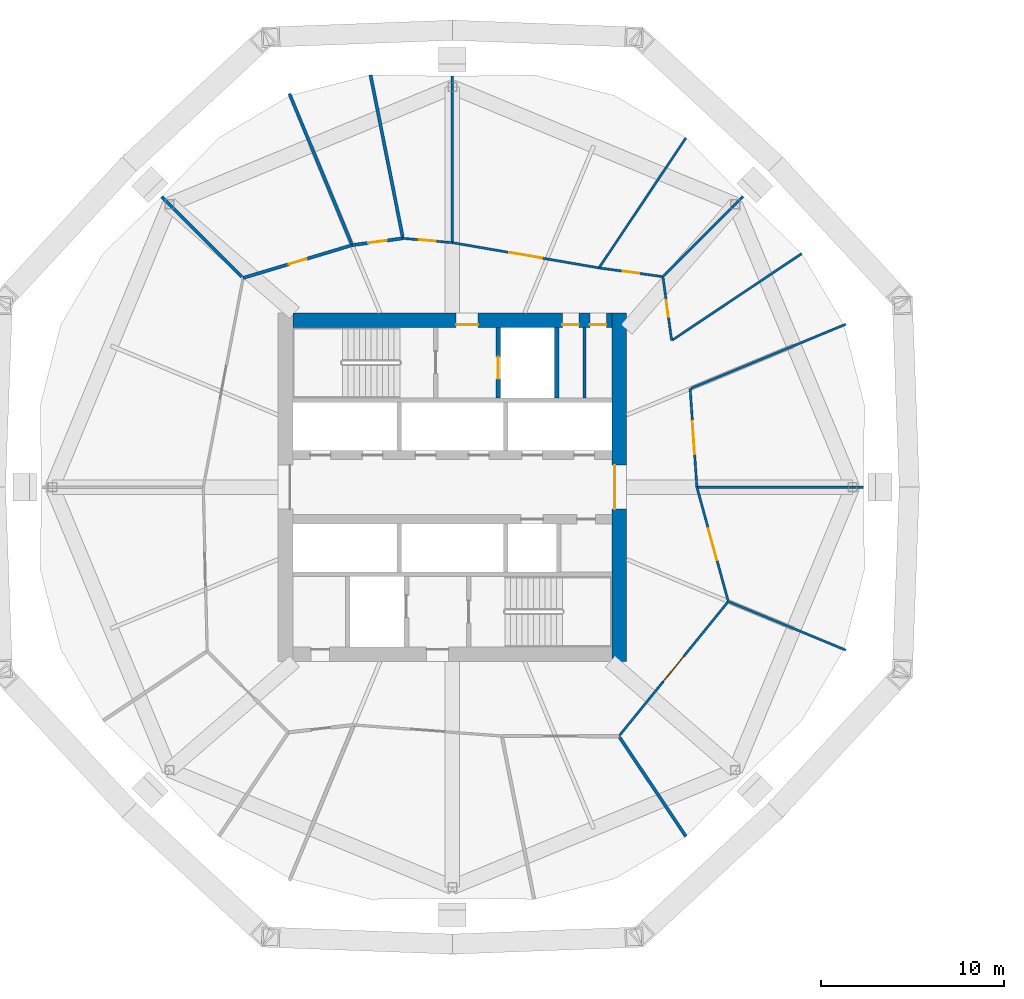
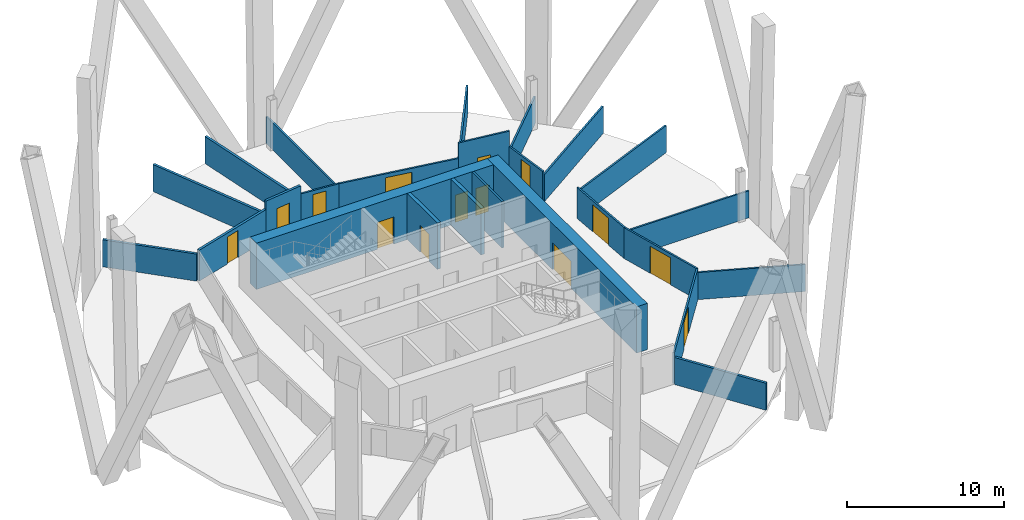
# One storey, part 5 of 10: 25 walls, 14 doors, 14 openings.
"""IFC4 building model written with IfcOpenShell, lengths in metres."""

from ifc_helpers import new_model, si_unit, direction, frame, frame_2d, origin, place, context, subcontext, project, spatial, rectangle, extrude, material, layer, layer_set, type_object, element, fill, save


model = new_model("IFC4")

# Units and contexts
model_context = context("Model", 3, precision=1e-05, world=origin(), true_north=direction((0.0, 1.0)))
body_context = subcontext(model_context, "Body", "Model", "MODEL_VIEW")
ifc_project = project(units=[si_unit("LENGTHUNIT", "METRE"), si_unit("AREAUNIT", "SQUARE_METRE"), si_unit("VOLUMEUNIT", "CUBIC_METRE"), si_unit("PLANEANGLEUNIT", "RADIAN"), si_unit("MASSUNIT", "GRAM", prefix="KILO")], contexts=[model_context])

# Site, building, storey
site_placement = place(None, origin())
site = spatial("IfcSite", under=ifc_project, at=site_placement, CompositionType="ELEMENT")
building_placement = place(site_placement, origin())
building = spatial("IfcBuilding", under=site, at=building_placement, Name="Ogive Gate Towers", CompositionType="ELEMENT")
storey_placement = place(building_placement, frame((0.0, 0.0, 36.300048828125)))
storey = spatial("IfcBuildingStorey", under=building, at=storey_placement, Name="L07", CompositionType="ELEMENT", Elevation=36.300048828125)

# Walls
ifc_material_1 = material(Name="Gypsum board acoustic partition")
ifc_layer_1 = layer(ifc_material_1, 0.175048828125)
ifc_layer_set_1 = layer_set([ifc_layer_1], Name="Acoustic partition 175")
wall_type_1 = type_object("IfcWallType", Name="Acoustic partition 175", PredefinedType="PARTITIONING", material=ifc_layer_set_1)
wall_1_placement = place(storey_placement, frame((-40.461669921875, 22.470947265625, 0.0), z_axis=(0.0, 0.0, 1.0), x_axis=(0.194737431918, -0.980855408615, 0.0)))
element("IfcWall", 1, at=wall_1_placement, inside=storey, type_object=wall_type_1, Name="Partition T1-L07-007", PredefinedType="PARTITIONING", context=body_context, shape_type="SweptSolid", body=[
    extrude(rectangle(XDim=8.991455078125, YDim=0.175048828125, at=frame_2d((4.49560546875, 0.0))), origin(), (0.0, 0.0, 1.0), 2.099853515625),
])
wall_2_placement = place(storey_placement, frame((-44.885986328125, 21.452880859375, 0.0), z_axis=(0.0, 0.0, 1.0), x_axis=(0.382685511133, -0.923878671455, 0.0)))
element("IfcWall", 2, at=wall_2_placement, inside=storey, type_object=wall_type_1, Name="Partition T1-L07-008", PredefinedType="PARTITIONING", context=body_context, shape_type="SweptSolid", body=[
    extrude(rectangle(XDim=8.851806640625, YDim=0.175048828125, at=frame_2d((4.42578125, 0.0))), origin(), (0.0, 0.0, 1.0), 2.099853515625),
])
wall_3_placement = place(storey_placement, frame((-51.845703125, 15.845703125, 0.0), z_axis=(0.0, 0.0, 1.0), x_axis=(0.707106781187, -0.707106781187, 0.0)))
element("IfcWall", 3, at=wall_3_placement, inside=storey, type_object=wall_type_1, Name="Partition T1-L07-009", PredefinedType="PARTITIONING", context=body_context, shape_type="SweptSolid", body=[
    extrude(rectangle(XDim=6.191650390625, YDim=0.175048828125, at=frame_2d((3.095703125, 0.0))), origin(), (0.0, 0.0, 1.0), 2.099853515625),
])
wall_4_placement = place(storey_placement, frame((-23.265625, -19.044189453125, 0.0), z_axis=(0.0, 0.0, 1.0), x_axis=(-0.55586264377, 0.831274155295, 0.0)))
element("IfcWall", 4, at=wall_4_placement, inside=storey, type_object=wall_type_1, Name="Partition T1-L07-015", PredefinedType="PARTITIONING", context=body_context, shape_type="SweptSolid", body=[
    extrude(rectangle(XDim=6.491455078125, YDim=0.175048828125, at=frame_2d((3.24560546875, 0.0))), origin(), (0.0, 0.0, 1.0), 2.099853515625),
])

# Wall, opening, door
wall_5_placement = place(storey_placement, frame((-38.693603515625, 13.56591796875, 0.0), z_axis=(0.0, 0.0, 1.0), x_axis=(-0.991120058081, -0.132970035981, 0.0)))
wall_5 = element("IfcWall", 5, at=wall_5_placement, inside=storey, type_object=wall_type_1, Name="Partition T1-L07-021", PredefinedType="PARTITIONING", context=body_context, shape_type="SweptSolid", body=[
    extrude(rectangle(XDim=2.79638671875, YDim=0.175048828125, at=frame_2d((1.398193359375, 0.0))), origin(), (0.0, 0.0, 1.0), 3.050048828125),
])
opening_1_placement = place(wall_5_placement, frame((0.89794921875, 0.0, 0.0)))
opening_1 = element("IfcOpeningElement", 6, at=opening_1_placement, cuts=wall_5, Name="Opening T1-L07-D05", PredefinedType="OPENING", context=body_context, shape_type="SweptSolid", body=[
    extrude(rectangle(XDim=1.0, YDim=2.10009765625, at=frame_2d((0.5, 1.050048828125))), frame((0.0, 0.09765625, 0.0), z_axis=(0.0, -1.0, 0.0), x_axis=(1.0, 0.0, 0.0)), (0.0, 0.0, 1.0), 0.195068359375),
])
ifc_material_2 = material(Name="Timber door", Category="wood")
door_type_1 = type_object("IfcDoorType", Name="Door 1000", OperationType="NOTDEFINED", PredefinedType="DOOR", material=ifc_material_2)
door_1_placement = place(opening_1_placement, origin())
door_1 = element("IfcDoor", 7, at=door_1_placement, inside=storey, type_object=door_type_1, Name="Door T1-L07-D05", OperationType="SINGLE_SWING_RIGHT", OverallHeight=2.10009765625, OverallWidth=1.0, PredefinedType="DOOR", context=body_context, shape_type="SweptSolid", body=[
    extrude(rectangle(XDim=1.0, YDim=2.10009765625, at=frame_2d((0.5, 1.050048828125))), frame((0.0, 0.02490234375, 0.0), z_axis=(0.0, -1.0, 0.0), x_axis=(1.0, 0.0, 0.0)), (0.0, 0.0, 1.0), 0.050048828125),
])
fill(opening_1, door_1)

wall_6_placement = place(storey_placement, frame((-41.465087890625, 13.194091796875, 0.0), z_axis=(0.0, 0.0, 1.0), x_axis=(-0.957554002329, -0.288253937741, 0.0)))
wall_6 = element("IfcWall", 8, at=wall_6_placement, inside=storey, type_object=wall_type_1, Name="Partition T1-L07-022", PredefinedType="PARTITIONING", context=body_context, shape_type="SweptSolid", body=[
    extrude(rectangle(XDim=6.2041015625, YDim=0.175048828125, at=frame_2d((3.10205078125, 0.0))), origin(), (0.0, 0.0, 1.0), 2.39990234375),
])
opening_2_placement = place(wall_6_placement, frame((2.60205078125, 0.0, 0.0)))
opening_2 = element("IfcOpeningElement", 9, at=opening_2_placement, cuts=wall_6, Name="Opening T1-L07-D06", PredefinedType="OPENING", context=body_context, shape_type="SweptSolid", body=[
    extrude(rectangle(XDim=1.0, YDim=2.10009765625, at=frame_2d((0.5, 1.050048828125))), frame((0.0, 0.09765625, 0.0), z_axis=(0.0, -1.0, 0.0), x_axis=(1.0, 0.0, 0.0)), (0.0, 0.0, 1.0), 0.195068359375),
])
door_2_placement = place(opening_2_placement, origin())
door_2 = element("IfcDoor", 10, at=door_2_placement, inside=storey, type_object=door_type_1, Name="Door T1-L07-D06", OperationType="SINGLE_SWING_RIGHT", OverallHeight=2.10009765625, OverallWidth=1.0, PredefinedType="DOOR", context=body_context, shape_type="SweptSolid", body=[
    extrude(rectangle(XDim=1.0, YDim=2.10009765625, at=frame_2d((0.5, 1.050048828125))), frame((0.0, 0.02490234375, 0.0), z_axis=(0.0, -1.0, 0.0), x_axis=(1.0, 0.0, 0.0)), (0.0, 0.0, 1.0), 0.050048828125),
])
fill(opening_2, door_2)

# Wall, openings, doors
ifc_material_3 = material(Name="Concrete C60/75", Category="concrete")
ifc_layer_2 = layer(ifc_material_3, 0.800048828125)
ifc_layer_set_2 = layer_set([ifc_layer_2], Name="Core wall 800 mm")
wall_type_2 = type_object("IfcWallType", Name="Core wall 800 mm", PredefinedType="SHEAR", material=ifc_layer_set_2)
wall_7_placement = place(storey_placement, frame((-44.699951171875, 9.10009765625, 0.0), z_axis=(0.0, 0.0, 1.0), x_axis=(1.0, 0.0, 0.0)))
wall_7 = element("IfcWall", 11, at=wall_7_placement, inside=storey, type_object=wall_type_2, Name="T1 L07 Core wall 800 mm", PredefinedType="SHEAR", context=body_context, shape_type="SweptSolid", body=[
    extrude(rectangle(XDim=17.39990234375, YDim=0.800048828125, at=frame_2d((8.699951171875, 0.0))), origin(), (0.0, 0.0, 1.0), 3.599853515625),
])
opening_3_placement = place(wall_7_placement, frame((8.89990234375, 0.0, 0.0)))
opening_3 = element("IfcOpeningElement", 12, at=opening_3_placement, cuts=wall_7, Name="Opening KD-T1-L07-15", PredefinedType="OPENING", context=body_context, shape_type="SweptSolid", body=[
    extrude(rectangle(XDim=1.199951171875, YDim=2.10009765625, at=frame_2d((0.60009765625, 1.050048828125))), frame((0.0, 0.41015625, 0.0), z_axis=(0.0, -1.0, 0.0), x_axis=(1.0, 0.0, 0.0)), (0.0, 0.0, 1.0), 0.820068359375),
])
opening_4_placement = place(wall_7_placement, frame((14.699951171875, 0.0, 0.0)))
opening_4 = element("IfcOpeningElement", 13, at=opening_4_placement, cuts=wall_7, Name="Opening KD-T1-L07-17", PredefinedType="OPENING", context=body_context, shape_type="SweptSolid", body=[
    extrude(rectangle(XDim=0.89990234375, YDim=2.10009765625, at=frame_2d((0.449951171875, 1.050048828125))), frame((0.0, 0.41015625, 0.0), z_axis=(0.0, -1.0, 0.0), x_axis=(1.0, 0.0, 0.0)), (0.0, 0.0, 1.0), 0.820068359375),
])
opening_5_placement = place(wall_7_placement, frame((16.199951171875, 0.0, 0.0)))
opening_5 = element("IfcOpeningElement", 14, at=opening_5_placement, cuts=wall_7, Name="Opening KD-T1-L07-18", PredefinedType="OPENING", context=body_context, shape_type="SweptSolid", body=[
    extrude(rectangle(XDim=0.89990234375, YDim=2.10009765625, at=frame_2d((0.449951171875, 1.050048828125))), frame((0.0, 0.41015625, 0.0), z_axis=(0.0, -1.0, 0.0), x_axis=(1.0, 0.0, 0.0)), (0.0, 0.0, 1.0), 0.820068359375),
])
door_type_2 = type_object("IfcDoorType", Name="Core WC door 900 x 2100", OperationType="NOTDEFINED", PredefinedType="DOOR", material=ifc_material_2)
door_3_placement = place(opening_4_placement, origin())
door_3 = element("IfcDoor", 15, at=door_3_placement, inside=storey, type_object=door_type_2, Name="T1 L07 Core door", OperationType="SINGLE_SWING_RIGHT", OverallHeight=2.10009765625, OverallWidth=0.89990234375, PredefinedType="DOOR", context=body_context, shape_type="SweptSolid", body=[
    extrude(rectangle(XDim=0.89990234375, YDim=2.10009765625, at=frame_2d((0.449951171875, 1.050048828125))), frame((0.0, -0.22509765625, 0.0), z_axis=(0.0, -1.0, 0.0), x_axis=(1.0, 0.0, 0.0)), (0.0, 0.0, 1.0), 0.050048828125),
])
fill(opening_4, door_3)
door_4_placement = place(opening_5_placement, origin())
door_4 = element("IfcDoor", 16, at=door_4_placement, inside=storey, type_object=door_type_2, Name="T1 L07 Core door", OperationType="SINGLE_SWING_LEFT", OverallHeight=2.10009765625, OverallWidth=0.89990234375, PredefinedType="DOOR", context=body_context, shape_type="SweptSolid", body=[
    extrude(rectangle(XDim=0.89990234375, YDim=2.10009765625, at=frame_2d((0.449951171875, 1.050048828125))), frame((0.0, -0.22509765625, 0.0), z_axis=(0.0, -1.0, 0.0), x_axis=(1.0, 0.0, 0.0)), (0.0, 0.0, 1.0), 0.050048828125),
])
fill(opening_5, door_4)
ifc_material_4 = material(Name="Steel fire door", Category="steel")
door_type_3 = type_object("IfcDoorType", Name="Core door FD60S 1200 x 2100", OperationType="NOTDEFINED", PredefinedType="DOOR", material=ifc_material_4)
door_5_placement = place(opening_3_placement, origin())
door_5 = element("IfcDoor", 17, at=door_5_placement, inside=storey, type_object=door_type_3, Name="T1 L07 Fire-fighting lobby door", OperationType="SINGLE_SWING_RIGHT", OverallHeight=2.10009765625, OverallWidth=1.199951171875, PredefinedType="DOOR", context=body_context, shape_type="SweptSolid", body=[
    extrude(rectangle(XDim=1.199951171875, YDim=2.10009765625, at=frame_2d((0.60009765625, 1.050048828125))), frame((0.0, -0.22509765625, 0.0), z_axis=(0.0, -1.0, 0.0), x_axis=(1.0, 0.0, 0.0)), (0.0, 0.0, 1.0), 0.050048828125),
])
fill(opening_3, door_5)

# Wall, opening, door
wall_8_placement = place(storey_placement, frame((-26.89990234375, -9.5, 0.0), z_axis=(0.0, 0.0, 1.0), x_axis=(0.0, 1.0, 0.0)))
wall_8 = element("IfcWall", 18, at=wall_8_placement, inside=storey, type_object=wall_type_2, Name="T1 L07 Core wall 800 mm", PredefinedType="SHEAR", context=body_context, shape_type="SweptSolid", body=[
    extrude(rectangle(XDim=19.0, YDim=0.800048828125, at=frame_2d((9.5, 0.0))), origin(), (0.0, 0.0, 1.0), 3.599853515625),
])
opening_6_placement = place(wall_8_placement, frame((8.300048828125, 0.0, 0.0)))
opening_6 = element("IfcOpeningElement", 19, at=opening_6_placement, cuts=wall_8, Name="Opening KD-T1-L07-02", PredefinedType="OPENING", context=body_context, shape_type="SweptSolid", body=[
    extrude(rectangle(XDim=2.39990234375, YDim=2.10009765625, at=frame_2d((1.199951171875, 1.050048828125))), frame((0.0, 0.41015625, 0.0), z_axis=(0.0, -1.0, 0.0), x_axis=(1.0, 0.0, 0.0)), (0.0, 0.0, 1.0), 0.820068359375),
])
door_type_4 = type_object("IfcDoorType", Name="Core double door FD60S 2400 x 2100", OperationType="DOUBLE_DOOR_SINGLE_SWING", PredefinedType="DOOR", material=ifc_material_4)
door_6_placement = place(opening_6_placement, origin())
door_6 = element("IfcDoor", 20, at=door_6_placement, inside=storey, type_object=door_type_4, Name="T1 L07 Core door double", OperationType="DOUBLE_DOOR_SINGLE_SWING", OverallHeight=2.10009765625, OverallWidth=2.39990234375, PredefinedType="DOOR", context=body_context, shape_type="SweptSolid", body=[
    extrude(rectangle(XDim=2.39990234375, YDim=2.10009765625, at=frame_2d((1.199951171875, 1.050048828125))), frame((0.0, 0.27490234375, 0.0), z_axis=(0.0, -1.0, 0.0), x_axis=(1.0, 0.0, 0.0)), (0.0, 0.0, 1.0), 0.050048828125),
])
fill(opening_6, door_6)

# Walls
ifc_material_5 = material(Name="Gypsum board partition")
ifc_layer_3 = layer(ifc_material_5, 0.125)
ifc_layer_set_3 = layer_set([ifc_layer_3], Name="Partition 125")
wall_type_3 = type_object("IfcWallType", Name="Partition 125", PredefinedType="PARTITIONING", material=ifc_layer_set_3)
wall_9_placement = place(storey_placement, frame((-13.591064453125, 0.0, 0.0), z_axis=(0.0, 0.0, 1.0), x_axis=(-1.0, 0.0, 0.0)))
element("IfcWall", 21, at=wall_9_placement, inside=storey, type_object=wall_type_3, Name="Partition T1-L07-001", PredefinedType="PARTITIONING", context=body_context, shape_type="SweptSolid", body=[
    extrude(rectangle(XDim=9.016357421875, YDim=0.125, at=frame_2d((4.50830078125, 0.0))), origin(), (0.0, 0.0, 1.0), 2.099853515625),
])
wall_10_placement = place(storey_placement, frame((-14.547119140625, 8.885986328125, 0.0), z_axis=(0.0, 0.0, 1.0), x_axis=(-0.923880554075, -0.382680966084, 0.0)))
element("IfcWall", 22, at=wall_10_placement, inside=storey, type_object=wall_type_3, Name="Partition T1-L07-002", PredefinedType="PARTITIONING", context=body_context, shape_type="SweptSolid", body=[
    extrude(rectangle(XDim=9.126953125, YDim=0.125, at=frame_2d((4.5634765625, 0.0))), origin(), (0.0, 0.0, 1.0), 2.099853515625),
])
wall_11_placement = place(storey_placement, frame((-16.955810546875, 12.734375, 0.0), z_axis=(0.0, 0.0, 1.0), x_axis=(-0.83128646011, -0.555844241886, 0.0)))
element("IfcWall", 23, at=wall_11_placement, inside=storey, type_object=wall_type_3, Name="Partition T1-L07-003", PredefinedType="PARTITIONING", context=body_context, shape_type="SweptSolid", body=[
    extrude(rectangle(XDim=8.466552734375, YDim=0.125, at=frame_2d((4.2333984375, 0.0))), origin(), (0.0, 0.0, 1.0), 2.099853515625),
])
wall_12_placement = place(storey_placement, frame((-20.154296875, 15.845703125, 0.0), z_axis=(0.0, 0.0, 1.0), x_axis=(-0.707106781187, -0.707106781187, 0.0)))
element("IfcWall", 24, at=wall_12_placement, inside=storey, type_object=wall_type_3, Name="Partition T1-L07-004", PredefinedType="PARTITIONING", context=body_context, shape_type="SweptSolid", body=[
    extrude(rectangle(XDim=6.11669921875, YDim=0.125, at=frame_2d((3.058349609375, 0.0))), origin(), (0.0, 0.0, 1.0), 2.099853515625),
])
wall_13_placement = place(storey_placement, frame((-23.265625, 19.044189453125, 0.0), z_axis=(0.0, 0.0, 1.0), x_axis=(-0.555844241886, -0.83128646011, 0.0)))
element("IfcWall", 25, at=wall_13_placement, inside=storey, type_object=wall_type_3, Name="Partition T1-L07-005", PredefinedType="PARTITIONING", context=body_context, shape_type="SweptSolid", body=[
    extrude(rectangle(XDim=8.466552734375, YDim=0.125, at=frame_2d((4.2333984375, 0.0))), origin(), (0.0, 0.0, 1.0), 2.099853515625),
])
wall_14_placement = place(storey_placement, frame((-36.0, 22.408935546875, 0.0), z_axis=(0.0, 0.0, 1.0), x_axis=(0.0, -1.0, 0.0)))
element("IfcWall", 26, at=wall_14_placement, inside=storey, type_object=wall_type_3, Name="Partition T1-L07-006", PredefinedType="PARTITIONING", context=body_context, shape_type="SweptSolid", body=[
    extrude(rectangle(XDim=9.016357421875, YDim=0.125, at=frame_2d((4.50830078125, 0.0))), origin(), (0.0, 0.0, 1.0), 2.099853515625),
])
wall_15_placement = place(storey_placement, frame((-14.547119140625, -8.885986328125, 0.0), z_axis=(0.0, 0.0, 1.0), x_axis=(-0.923880530816, 0.382681022237, 0.0)))
element("IfcWall", 27, at=wall_15_placement, inside=storey, type_object=wall_type_3, Name="Partition T1-L07-016", PredefinedType="PARTITIONING", context=body_context, shape_type="SweptSolid", body=[
    extrude(rectangle(XDim=6.876708984375, YDim=0.125, at=frame_2d((3.4384765625, 0.0))), origin(), (0.0, 0.0, 1.0), 2.099853515625),
])

# Wall, opening, door
wall_16_placement = place(storey_placement, frame((-24.045654296875, 7.993408203125, 0.0), z_axis=(0.0, 0.0, 1.0), x_axis=(-0.13597467472, 0.990712313356, 0.0)))
wall_16 = element("IfcWall", 28, at=wall_16_placement, inside=storey, type_object=wall_type_3, Name="Partition T1-L07-017", PredefinedType="PARTITIONING", context=body_context, shape_type="SweptSolid", body=[
    extrude(rectangle(XDim=3.515625, YDim=0.125, at=frame_2d((1.7578125, 0.0))), origin(), (0.0, 0.0, 1.0), 2.39990234375),
])
opening_7_placement = place(wall_16_placement, frame((1.30810546875, 0.0, 0.0)))
opening_7 = element("IfcOpeningElement", 29, at=opening_7_placement, cuts=wall_16, Name="Opening T1-L07-D01", PredefinedType="OPENING", context=body_context, shape_type="SweptSolid", body=[
    extrude(rectangle(XDim=0.89990234375, YDim=2.10009765625, at=frame_2d((0.449951171875, 1.050048828125))), frame((0.0, 0.072509765625, 0.0), z_axis=(0.0, -1.0, 0.0), x_axis=(1.0, 0.0, 0.0)), (0.0, 0.0, 1.0), 0.14501953125),
])
door_type_5 = type_object("IfcDoorType", Name="Door 900", OperationType="NOTDEFINED", PredefinedType="DOOR", material=ifc_material_2)
door_7_placement = place(opening_7_placement, origin())
door_7 = element("IfcDoor", 30, at=door_7_placement, inside=storey, type_object=door_type_5, Name="Door T1-L07-D01", OperationType="SINGLE_SWING_LEFT", OverallHeight=2.10009765625, OverallWidth=0.89990234375, PredefinedType="DOOR", context=body_context, shape_type="SweptSolid", body=[
    extrude(rectangle(XDim=0.89990234375, YDim=2.10009765625, at=frame_2d((0.449951171875, 1.050048828125))), frame((0.0, 0.02490234375, 0.0), z_axis=(0.0, -1.0, 0.0), x_axis=(1.0, 0.0, 0.0)), (0.0, 0.0, 1.0), 0.050048828125),
])
fill(opening_7, door_7)

wall_17_placement = place(storey_placement, frame((-24.523681640625, 11.476318359375, 0.0), z_axis=(0.0, 0.0, 1.0), x_axis=(-0.990712313356, 0.13597467472, 0.0)))
wall_17 = element("IfcWall", 31, at=wall_17_placement, inside=storey, type_object=wall_type_3, Name="Partition T1-L07-018", PredefinedType="PARTITIONING", context=body_context, shape_type="SweptSolid", body=[
    extrude(rectangle(XDim=3.515625, YDim=0.125, at=frame_2d((1.7578125, 0.0))), origin(), (0.0, 0.0, 1.0), 3.599853515625),
])
opening_8_placement = place(wall_17_placement, frame((1.30810546875, 0.0, 0.0)))
opening_8 = element("IfcOpeningElement", 32, at=opening_8_placement, cuts=wall_17, Name="Opening T1-L07-D02", PredefinedType="OPENING", context=body_context, shape_type="SweptSolid", body=[
    extrude(rectangle(XDim=0.89990234375, YDim=2.10009765625, at=frame_2d((0.449951171875, 1.050048828125))), frame((0.0, 0.072509765625, 0.0), z_axis=(0.0, -1.0, 0.0), x_axis=(1.0, 0.0, 0.0)), (0.0, 0.0, 1.0), 0.14501953125),
])
door_8_placement = place(opening_8_placement, origin())
door_8 = element("IfcDoor", 33, at=door_8_placement, inside=storey, type_object=door_type_5, Name="Door T1-L07-D02", OperationType="SINGLE_SWING_LEFT", OverallHeight=2.10009765625, OverallWidth=0.89990234375, PredefinedType="DOOR", context=body_context, shape_type="SweptSolid", body=[
    extrude(rectangle(XDim=0.89990234375, YDim=2.10009765625, at=frame_2d((0.449951171875, 1.050048828125))), frame((0.0, 0.02490234375, 0.0), z_axis=(0.0, -1.0, 0.0), x_axis=(1.0, 0.0, 0.0)), (0.0, 0.0, 1.0), 0.050048828125),
])
fill(opening_8, door_8)

wall_18_placement = place(storey_placement, frame((-28.006591796875, 11.954345703125, 0.0), z_axis=(0.0, 0.0, 1.0), x_axis=(-0.9855104711, 0.16961459652, 0.0)))
wall_18 = element("IfcWall", 34, at=wall_18_placement, inside=storey, type_object=wall_type_3, Name="Partition T1-L07-019", PredefinedType="PARTITIONING", context=body_context, shape_type="SweptSolid", body=[
    extrude(rectangle(XDim=8.11083984375, YDim=0.125, at=frame_2d((4.055419921875, 0.0))), origin(), (0.0, 0.0, 1.0), 2.39990234375),
])
opening_9_placement = place(wall_18_placement, frame((3.156005859375, 0.0, 0.0)))
opening_9 = element("IfcOpeningElement", 35, at=opening_9_placement, cuts=wall_18, Name="Opening T1-L07-D03", PredefinedType="OPENING", context=body_context, shape_type="SweptSolid", body=[
    extrude(rectangle(XDim=1.800048828125, YDim=2.10009765625, at=frame_2d((0.89990234375, 1.050048828125))), frame((0.0, 0.072509765625, 0.0), z_axis=(0.0, -1.0, 0.0), x_axis=(1.0, 0.0, 0.0)), (0.0, 0.0, 1.0), 0.14501953125),
])
door_type_6 = type_object("IfcDoorType", Name="Door pair 1800", OperationType="NOTDEFINED", PredefinedType="DOOR", material=ifc_material_2)
door_9_placement = place(opening_9_placement, origin())
door_9 = element("IfcDoor", 36, at=door_9_placement, inside=storey, type_object=door_type_6, Name="Door T1-L07-D03", OperationType="DOUBLE_DOOR_DOUBLE_SWING", OverallHeight=2.10009765625, OverallWidth=1.800048828125, PredefinedType="DOOR", context=body_context, shape_type="SweptSolid", body=[
    extrude(rectangle(XDim=1.800048828125, YDim=2.10009765625, at=frame_2d((0.89990234375, 1.050048828125))), frame((0.0, 0.02490234375, 0.0), z_axis=(0.0, -1.0, 0.0), x_axis=(1.0, 0.0, 0.0)), (0.0, 0.0, 1.0), 0.050048828125),
])
fill(opening_9, door_9)

wall_19_placement = place(storey_placement, frame((-36.0, 13.330078125, 0.0), z_axis=(0.0, 0.0, 1.0), x_axis=(-0.996188913678, 0.087221833646, 0.0)))
wall_19 = element("IfcWall", 37, at=wall_19_placement, inside=storey, type_object=wall_type_3, Name="Partition T1-L07-020", PredefinedType="PARTITIONING", context=body_context, shape_type="SweptSolid", body=[
    extrude(rectangle(XDim=2.703857421875, YDim=0.125, at=frame_2d((1.35205078125, 0.0))), origin(), (0.0, 0.0, 1.0), 2.39990234375),
])
opening_10_placement = place(wall_19_placement, frame((0.902099609375, 0.0, 0.0)))
opening_10 = element("IfcOpeningElement", 38, at=opening_10_placement, cuts=wall_19, Name="Opening T1-L07-D04", PredefinedType="OPENING", context=body_context, shape_type="SweptSolid", body=[
    extrude(rectangle(XDim=0.89990234375, YDim=2.10009765625, at=frame_2d((0.449951171875, 1.050048828125))), frame((0.0, 0.072509765625, 0.0), z_axis=(0.0, -1.0, 0.0), x_axis=(1.0, 0.0, 0.0)), (0.0, 0.0, 1.0), 0.14501953125),
])
door_10_placement = place(opening_10_placement, origin())
door_10 = element("IfcDoor", 39, at=door_10_placement, inside=storey, type_object=door_type_5, Name="Door T1-L07-D04", OperationType="SINGLE_SWING_LEFT", OverallHeight=2.10009765625, OverallWidth=0.89990234375, PredefinedType="DOOR", context=body_context, shape_type="SweptSolid", body=[
    extrude(rectangle(XDim=0.89990234375, YDim=2.10009765625, at=frame_2d((0.449951171875, 1.050048828125))), frame((0.0, 0.02490234375, 0.0), z_axis=(0.0, -1.0, 0.0), x_axis=(1.0, 0.0, 0.0)), (0.0, 0.0, 1.0), 0.050048828125),
])
fill(opening_10, door_10)

wall_20_placement = place(storey_placement, frame((-26.922607421875, -13.5751953125, 0.0), z_axis=(0.0, 0.0, 1.0), x_axis=(0.63038665827, 0.776281302799, 0.0)))
wall_20 = element("IfcWall", 40, at=wall_20_placement, inside=storey, type_object=wall_type_3, Name="Partition T1-L07-029", PredefinedType="PARTITIONING", context=body_context, shape_type="SweptSolid", body=[
    extrude(rectangle(XDim=9.46142578125, YDim=0.125, at=frame_2d((4.730712890625, 0.0))), origin(), (0.0, 0.0, 1.0), 2.39990234375),
])
opening_11_placement = place(wall_20_placement, frame((3.8310546875, 0.0, 0.0)))
opening_11 = element("IfcOpeningElement", 41, at=opening_11_placement, cuts=wall_20, Name="Opening T1-L07-D13", PredefinedType="OPENING", context=body_context, shape_type="SweptSolid", body=[
    extrude(rectangle(XDim=1.800048828125, YDim=2.10009765625, at=frame_2d((0.89990234375, 1.050048828125))), frame((0.0, 0.072509765625, 0.0), z_axis=(0.0, -1.0, 0.0), x_axis=(1.0, 0.0, 0.0)), (0.0, 0.0, 1.0), 0.14501953125),
])
door_11_placement = place(opening_11_placement, origin())
door_11 = element("IfcDoor", 42, at=door_11_placement, inside=storey, type_object=door_type_6, Name="Door T1-L07-D13", OperationType="DOUBLE_DOOR_DOUBLE_SWING", OverallHeight=2.10009765625, OverallWidth=1.800048828125, PredefinedType="DOOR", context=body_context, shape_type="SweptSolid", body=[
    extrude(rectangle(XDim=1.800048828125, YDim=2.10009765625, at=frame_2d((0.89990234375, 1.050048828125))), frame((0.0, 0.02490234375, 0.0), z_axis=(0.0, -1.0, 0.0), x_axis=(1.0, 0.0, 0.0)), (0.0, 0.0, 1.0), 0.050048828125),
])
fill(opening_11, door_11)

wall_21_placement = place(storey_placement, frame((-20.958251953125, -6.23046875, 0.0), z_axis=(0.0, 0.0, 1.0), x_axis=(-0.264910575557, 0.96427298363, 0.0)))
wall_21 = element("IfcWall", 43, at=wall_21_placement, inside=storey, type_object=wall_type_3, Name="Partition T1-L07-030", PredefinedType="PARTITIONING", context=body_context, shape_type="SweptSolid", body=[
    extrude(rectangle(XDim=6.46142578125, YDim=0.125, at=frame_2d((3.230712890625, 0.0))), origin(), (0.0, 0.0, 1.0), 2.39990234375),
])
opening_12_placement = place(wall_21_placement, frame((2.3310546875, 0.0, 0.0)))
opening_12 = element("IfcOpeningElement", 44, at=opening_12_placement, cuts=wall_21, Name="Opening T1-L07-D14", PredefinedType="OPENING", context=body_context, shape_type="SweptSolid", body=[
    extrude(rectangle(XDim=1.800048828125, YDim=2.10009765625, at=frame_2d((0.89990234375, 1.050048828125))), frame((0.0, 0.072509765625, 0.0), z_axis=(0.0, -1.0, 0.0), x_axis=(1.0, 0.0, 0.0)), (0.0, 0.0, 1.0), 0.14501953125),
])
door_12_placement = place(opening_12_placement, origin())
door_12 = element("IfcDoor", 45, at=door_12_placement, inside=storey, type_object=door_type_6, Name="Door T1-L07-D14", OperationType="DOUBLE_DOOR_DOUBLE_SWING", OverallHeight=2.10009765625, OverallWidth=1.800048828125, PredefinedType="DOOR", context=body_context, shape_type="SweptSolid", body=[
    extrude(rectangle(XDim=1.800048828125, YDim=2.10009765625, at=frame_2d((0.89990234375, 1.050048828125))), frame((0.0, 0.02490234375, 0.0), z_axis=(0.0, -1.0, 0.0), x_axis=(1.0, 0.0, 0.0)), (0.0, 0.0, 1.0), 0.050048828125),
])
fill(opening_12, door_12)

wall_22_placement = place(storey_placement, frame((-22.669921875, 0.0, 0.0), z_axis=(0.0, 0.0, 1.0), x_axis=(-0.068226049747, 0.997669888358, 0.0)))
wall_22 = element("IfcWall", 46, at=wall_22_placement, inside=storey, type_object=wall_type_3, Name="Partition T1-L07-031", PredefinedType="PARTITIONING", context=body_context, shape_type="SweptSolid", body=[
    extrude(rectangle(XDim=5.3818359375, YDim=0.125, at=frame_2d((2.69091796875, 0.0))), origin(), (0.0, 0.0, 1.0), 2.39990234375),
])
opening_13_placement = place(wall_22_placement, frame((1.791015625, 0.0, 0.0)))
opening_13 = element("IfcOpeningElement", 47, at=opening_13_placement, cuts=wall_22, Name="Opening T1-L07-D15", PredefinedType="OPENING", context=body_context, shape_type="SweptSolid", body=[
    extrude(rectangle(XDim=1.800048828125, YDim=2.10009765625, at=frame_2d((0.89990234375, 1.050048828125))), frame((0.0, 0.072509765625, 0.0), z_axis=(0.0, -1.0, 0.0), x_axis=(1.0, 0.0, 0.0)), (0.0, 0.0, 1.0), 0.14501953125),
])
door_13_placement = place(opening_13_placement, origin())
door_13 = element("IfcDoor", 48, at=door_13_placement, inside=storey, type_object=door_type_6, Name="Door T1-L07-D15", OperationType="DOUBLE_DOOR_DOUBLE_SWING", OverallHeight=2.10009765625, OverallWidth=1.800048828125, PredefinedType="DOOR", context=body_context, shape_type="SweptSolid", body=[
    extrude(rectangle(XDim=1.800048828125, YDim=2.10009765625, at=frame_2d((0.89990234375, 1.050048828125))), frame((0.0, 0.02490234375, 0.0), z_axis=(0.0, -1.0, 0.0), x_axis=(1.0, 0.0, 0.0)), (0.0, 0.0, 1.0), 0.050048828125),
])
fill(opening_13, door_13)

# Wall
ifc_layer_4 = layer(ifc_material_5, 0.14990234375)
ifc_layer_set_4 = layer_set([ifc_layer_4], Name="Room partition 150 mm")
wall_type_4 = type_object("IfcWallType", Name="Room partition 150 mm", PredefinedType="PARTITIONING", material=ifc_layer_set_4)
wall_23_placement = place(storey_placement, frame((-28.800048828125, 4.875, 0.0), z_axis=(0.0, 0.0, 1.0), x_axis=(0.0, 1.0, 0.0)))
element("IfcWall", 49, at=wall_23_placement, inside=storey, type_object=wall_type_4, Name="T1 L07 Room partition 150 mm", PredefinedType="PARTITIONING", context=body_context, shape_type="SweptSolid", body=[
    extrude(rectangle(XDim=3.824951171875, YDim=0.14990234375, at=frame_2d((1.91259765625, 0.0))), origin(), (0.0, 0.0, 1.0), 3.599853515625),
])

# Wall, opening, door
ifc_layer_5 = layer(ifc_material_3, 0.25)
ifc_layer_set_5 = layer_set([ifc_layer_5], Name="Shaft wall 250 mm")
wall_type_5 = type_object("IfcWallType", Name="Shaft wall 250 mm", PredefinedType="SHEAR", material=ifc_layer_set_5)
wall_24_placement = place(storey_placement, frame((-33.5, 4.875, 0.0), z_axis=(0.0, 0.0, 1.0), x_axis=(0.0, 1.0, 0.0)))
wall_24 = element("IfcWall", 50, at=wall_24_placement, inside=storey, type_object=wall_type_5, Name="T1 L07 Shaft wall 250 mm", PredefinedType="SHEAR", context=body_context, shape_type="SweptSolid", body=[
    extrude(rectangle(XDim=3.824951171875, YDim=0.25, at=frame_2d((1.91259765625, 0.0))), origin(), (0.0, 0.0, 1.0), 3.599853515625),
])
opening_14_placement = place(wall_24_placement, frame((1.02490234375, 0.0, 0.0)))
opening_14 = element("IfcOpeningElement", 51, at=opening_14_placement, cuts=wall_24, Name="Opening LD-T1-L07-10", PredefinedType="OPENING", context=body_context, shape_type="SweptSolid", body=[
    extrude(rectangle(XDim=1.199951171875, YDim=2.10009765625, at=frame_2d((0.60009765625, 1.050048828125))), frame((0.0, 0.135009765625, 0.0), z_axis=(0.0, -1.0, 0.0), x_axis=(1.0, 0.0, 0.0)), (0.0, 0.0, 1.0), 0.27001953125),
])
ifc_material_6 = material(Name="Stainless steel landing door", Category="steel")
door_type_7 = type_object("IfcDoorType", Name="Landing door 1200 x 2100", OperationType="SLIDING_TO_LEFT", PredefinedType="DOOR", material=ifc_material_6)
door_14_placement = place(opening_14_placement, origin())
door_14 = element("IfcDoor", 52, at=door_14_placement, inside=storey, type_object=door_type_7, Name="T1 L07 Lift landing door FF1", OperationType="SLIDING_TO_LEFT", OverallHeight=2.10009765625, OverallWidth=1.199951171875, PredefinedType="DOOR", context=body_context, shape_type="SweptSolid", body=[
    extrude(rectangle(XDim=1.199951171875, YDim=2.10009765625, at=frame_2d((0.60009765625, 1.050048828125))), frame((0.0, 0.02490234375, 0.0), z_axis=(0.0, -1.0, 0.0), x_axis=(1.0, 0.0, 0.0)), (0.0, 0.0, 1.0), 0.050048828125),
])
fill(opening_14, door_14)

# Wall
wall_25_placement = place(storey_placement, frame((-30.300048828125, 4.875, 0.0), z_axis=(0.0, 0.0, 1.0), x_axis=(0.0, 1.0, 0.0)))
element("IfcWall", 53, at=wall_25_placement, inside=storey, type_object=wall_type_5, Name="T1 L07 Shaft wall 250 mm", PredefinedType="SHEAR", context=body_context, shape_type="SweptSolid", body=[
    extrude(rectangle(XDim=3.824951171875, YDim=0.25, at=frame_2d((1.91259765625, 0.0))), origin(), (0.0, 0.0, 1.0), 3.599853515625),
])

save(model, "model.ifc")
